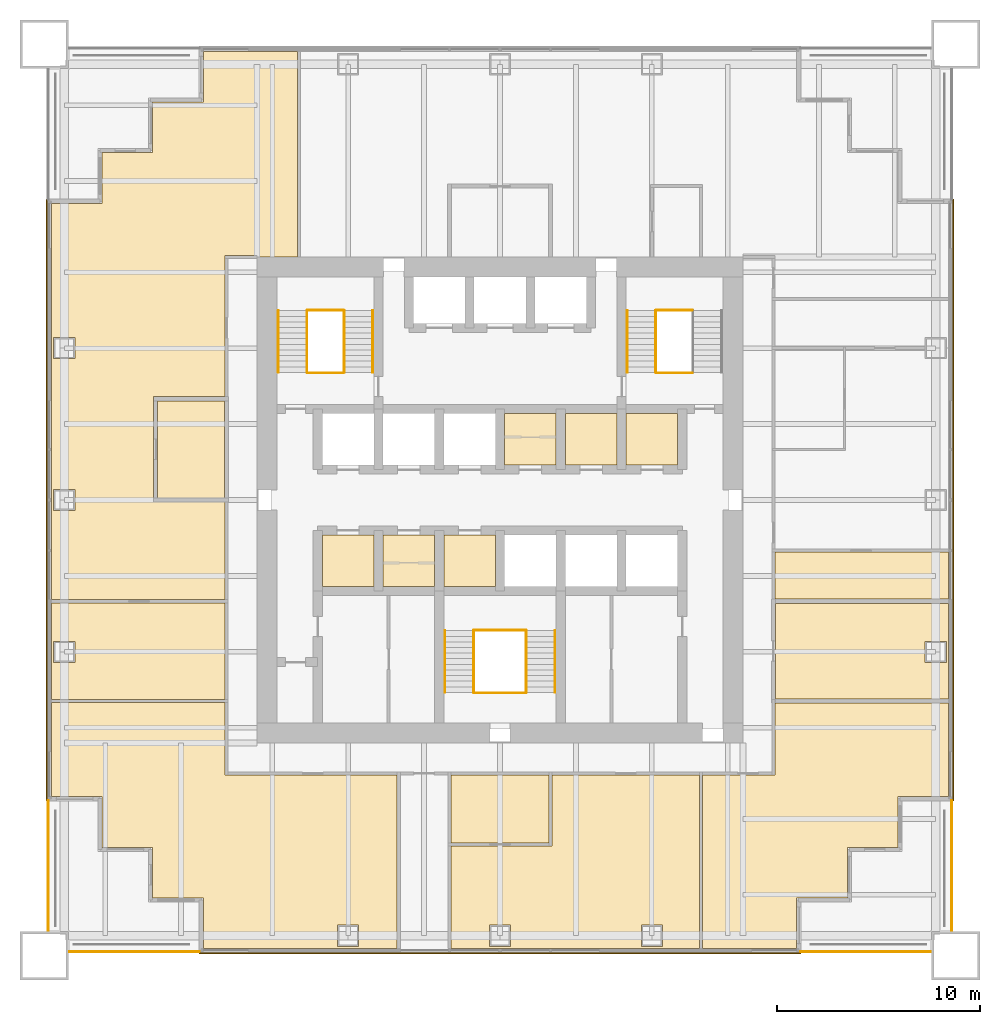
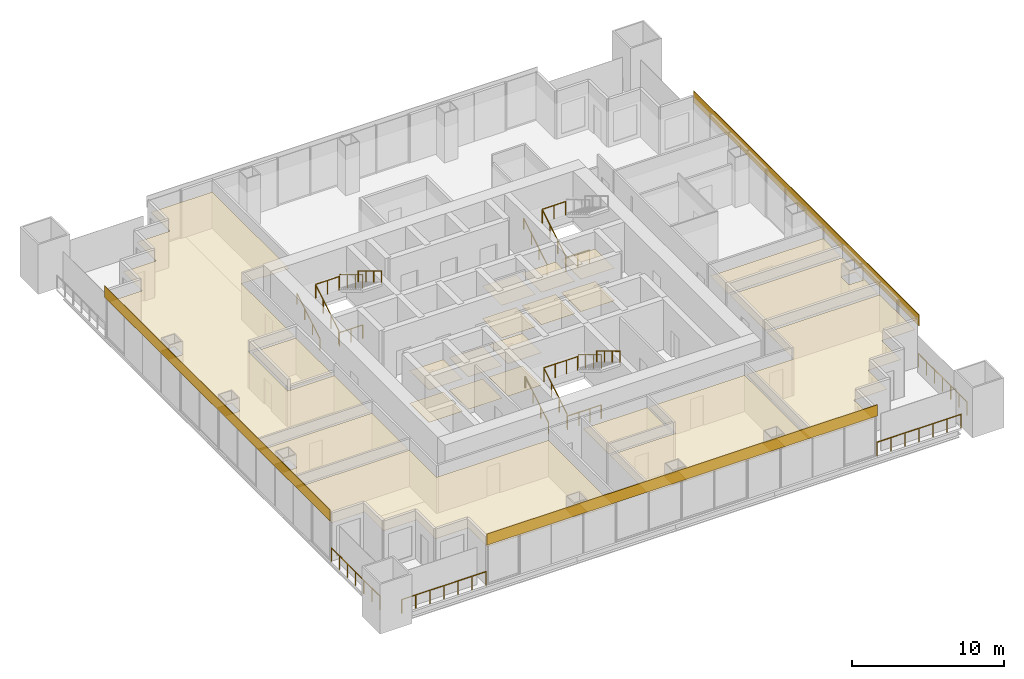
# One storey, part 12 of 13: 24 coverings, 20 railings.
"""IFC4 building model written with IfcOpenShell, lengths in metres."""

import ifcopenshell
import ifcopenshell.guid

model = None  # the IFC model being written
_history = None  # IfcOwnerHistory: only IFC2X3 demands one
_inside = {}  # id of a spatial element -> (the spatial element, [elements in it])
_under = {}  # id of a project, library or spatial element -> (it, [spatial elements below it])
_declared = {}  # id of a project -> (the project, [libraries it declares])
_typed = {}  # id of a type object -> (the type object, [elements of that type])
_made_of = {}  # id of a material, layer set ... -> (it, [elements and type objects made of it])


def new_model(schema):
    """Start an empty IFC model of exactly this schema.

    Asked for "IFC4X3", IfcOpenShell would pick the latest addendum, in which some entities
    have other attributes; the version numbers below select the first issue.
    IFC2X3 requires an IfcOwnerHistory on every rooted entity: one is made here for all.
    """
    global model, _history
    if schema == "IFC4X3":
        model = ifcopenshell.file(schema_version=(4, 3, 0, 0))
    else:
        model = ifcopenshell.file(schema=schema)
    _inside.clear()
    _under.clear()
    _declared.clear()
    _typed.clear()
    _made_of.clear()
    _history = None
    if model.schema == "IFC2X3":
        org = make("IfcOrganization", Name="unknown")
        user = make(
            "IfcPersonAndOrganization",
            ThePerson=make("IfcPerson", FamilyName="unknown"),
            TheOrganization=org,
        )
        app = make(
            "IfcApplication",
            ApplicationDeveloper=org,
            Version="unknown",
            ApplicationFullName="unknown",
            ApplicationIdentifier="unknown",
        )
        _history = make(
            "IfcOwnerHistory",
            OwningUser=user,
            OwningApplication=app,
            ChangeAction="ADDED",
            CreationDate=0,
        )
    return model


def make(cls, **values):
    """One entity of the class cls with the attributes given. An attribute that is None is left unset."""
    return model.create_entity(
        cls, **{name: value for name, value in values.items() if value is not None}
    )


def rooted(cls, **values):
    """An entity with a GlobalId (a new one), such as an element, a storey or a relation."""
    return make(cls, GlobalId=ifcopenshell.guid.new(), OwnerHistory=_history, **values)


def si_unit(unit_type, name, prefix=None):
    """IfcSIUnit, for example si_unit("LENGTHUNIT", "METRE", prefix="MILLI")."""
    return make("IfcSIUnit", UnitType=unit_type, Prefix=prefix, Name=name)


def assignment(units):
    """IfcUnitAssignment: the units of a project."""
    return None if units is None else make("IfcUnitAssignment", Units=units)


def point(xyz):
    """IfcCartesianPoint."""
    return None if xyz is None else make("IfcCartesianPoint", Coordinates=xyz)


def direction(xyz):
    """IfcDirection."""
    return None if xyz is None else make("IfcDirection", DirectionRatios=xyz)


def frame(location, z_axis=None, x_axis=None):
    """IfcAxis2Placement3D, a coordinate frame: its origin and axes. An axis left out is left unset."""
    return make(
        "IfcAxis2Placement3D",
        Location=point(location),
        Axis=direction(z_axis),
        RefDirection=direction(x_axis),
    )


def frame_2d(location, x_axis=None):
    """IfcAxis2Placement2D, a coordinate frame in the plane: its origin and x axis."""
    return make(
        "IfcAxis2Placement2D", Location=point(location), RefDirection=direction(x_axis)
    )


def origin():
    """The frame at (0, 0, 0) with its axes left unset."""
    return frame((0.0, 0.0, 0.0))


def origin_2d():
    """The frame at (0, 0) in the plane with its x axis left unset."""
    return frame_2d((0.0, 0.0))


def place(relative_to, where):
    """IfcLocalPlacement: puts the frame where relative to a parent placement (None: the world)."""
    return make(
        "IfcLocalPlacement", PlacementRelTo=relative_to, RelativePlacement=where
    )


def context(
    kind, dimensions, precision=None, world=None, true_north=None, identifier=None
):
    """IfcGeometricRepresentationContext, for example the 3D "Model" context."""
    return make(
        "IfcGeometricRepresentationContext",
        ContextIdentifier=identifier,
        ContextType=kind,
        CoordinateSpaceDimension=dimensions,
        Precision=precision,
        WorldCoordinateSystem=world,
        TrueNorth=true_north,
    )


def subcontext(parent, identifier, kind, view, scale=None):
    """IfcGeometricRepresentationSubContext, for example "Body" below "Model"."""
    return make(
        "IfcGeometricRepresentationSubContext",
        ContextIdentifier=identifier,
        ContextType=kind,
        ParentContext=parent,
        TargetScale=scale,
        TargetView=view,
    )


def project(units=None, contexts=None):
    """IfcProject with its units and contexts."""
    return rooted(
        "IfcProject",
        Name="project",
        RepresentationContexts=contexts,
        UnitsInContext=assignment(units),
    )


def spatial(cls, under=None, at=None, **own):
    """A site, building, storey or space (cls), placed at a placement, below another one or the project."""
    s = rooted(cls, ObjectPlacement=at, **own)
    if under is not None:
        _under.setdefault(under.id(), (under, []))[1].append(s)
    return s


def polyline(points):
    """IfcPolyline through the points."""
    return make("IfcPolyline", Points=[point(p) for p in points])


def profile(cls, at=None, kind="AREA", **sizes):
    """A parametric profile (cls). Its sizes go by their IFC names, for example OverallWidth=200.0."""
    return make(cls, ProfileType=kind, Position=at, **sizes)


def rectangle(**sizes):
    """IfcRectangleProfileDef."""
    return profile("IfcRectangleProfileDef", **sizes)


def circle(**sizes):
    """IfcCircleProfileDef."""
    return profile("IfcCircleProfileDef", **sizes)


def outline(outer, holes=None, kind="AREA"):
    """IfcArbitraryClosedProfileDef: a profile drawn as a closed curve; with holes, ...WithVoids."""
    if holes is None:
        return make("IfcArbitraryClosedProfileDef", ProfileType=kind, OuterCurve=outer)
    return make(
        "IfcArbitraryProfileDefWithVoids",
        ProfileType=kind,
        OuterCurve=outer,
        InnerCurves=holes,
    )


def extrude(swept, where, along, depth):
    """IfcExtrudedAreaSolid: the profile swept, set in the frame where, extruded along a direction by depth."""
    return make(
        "IfcExtrudedAreaSolid",
        SweptArea=swept,
        Position=where,
        ExtrudedDirection=direction(along),
        Depth=depth,
    )


def shape(context_of_items, identifier, shape_type, items):
    """IfcShapeRepresentation: the items that make up one representation, for example the "Body"."""
    return make(
        "IfcShapeRepresentation",
        ContextOfItems=context_of_items,
        RepresentationIdentifier=identifier,
        RepresentationType=shape_type,
        Items=items,
    )


def material(Name=None, Category=None):
    """IfcMaterial."""
    return make("IfcMaterial", Name=Name, Category=Category)


def layer(
    of_material, thickness, ventilated=None, Name=None, Category=None, Priority=None
):
    """IfcMaterialLayer: one layer of a wall or slab, of a material (None: an air gap)."""
    return make(
        "IfcMaterialLayer",
        Material=of_material,
        LayerThickness=thickness,
        IsVentilated=ventilated,
        Name=Name,
        Category=Category,
        Priority=Priority,
    )


def layer_set(layers, Name=None):
    """IfcMaterialLayerSet."""
    return make("IfcMaterialLayerSet", MaterialLayers=layers, LayerSetName=Name)


def made_of(thing, what):
    """Note that an element or type object is made of a material, layer set ...; save() writes the relation."""
    if what is not None:
        _made_of.setdefault(what.id(), (what, []))[1].append(thing)
    return thing


def type_object(cls, material=None, **own):
    """A type object (cls), such as IfcWallType, which elements share."""
    return made_of(rooted(cls, **own), material)


def element(
    cls,
    number,
    at=None,
    inside=None,
    cuts=None,
    type_object=None,
    material=None,
    context=None,
    identifier="Body",
    shape_type=None,
    held_by="IfcProductDefinitionShape",
    body=None,
    shapes=None,
    **own,
):
    """One element of the class cls, such as IfcWall. Its Tag is "e" and its number.

    at: its placement. inside: the storey or other place that contains it. cuts: it is an
    opening in that element (IfcRelVoidsElement). A single representation is given by context,
    identifier, shape_type and body (its items); several are given by shapes. held_by: the class
    of the entity that holds the representations. save() writes the other relations.
    """
    e = rooted(cls, Tag="e%d" % number, ObjectPlacement=at, **own)
    if body is not None:
        shapes = [shape(context, identifier, shape_type, body)]
    if shapes is not None:
        e.Representation = make(held_by, Representations=shapes)
    if inside is not None:
        _inside.setdefault(inside.id(), (inside, []))[1].append(e)
    if cuts is not None:
        rooted(
            "IfcRelVoidsElement", RelatingBuildingElement=cuts, RelatedOpeningElement=e
        )
    if type_object is not None:
        _typed.setdefault(type_object.id(), (type_object, []))[1].append(e)
    return made_of(e, material)


def aggregate(whole, parts):
    """IfcRelAggregates: a whole, such as a stair, and the parts it consists of."""
    return rooted("IfcRelAggregates", RelatingObject=whole, RelatedObjects=parts)


def save(model, path):
    """Write the relations noted so far, then the file.

    IfcRelAggregates (storeys below a building ...), IfcRelContainedInSpatialStructure (elements
    in a storey), IfcRelDefinesByType, IfcRelAssociatesMaterial and IfcRelDeclares: one each for
    every whole, place, type object, material and project.
    """
    for whole, parts in _under.values():
        aggregate(whole, parts)
    for where, things in _inside.values():
        rooted(
            "IfcRelContainedInSpatialStructure",
            RelatedElements=things,
            RelatingStructure=where,
        )
    for kind, things in _typed.values():
        rooted("IfcRelDefinesByType", RelatedObjects=things, RelatingType=kind)
    for what, things in _made_of.values():
        rooted("IfcRelAssociatesMaterial", RelatedObjects=things, RelatingMaterial=what)
    for by, libraries in _declared.values():
        rooted("IfcRelDeclares", RelatingContext=by, RelatedDefinitions=libraries)
    model.write(path)


model = new_model("IFC4")

# Units and contexts
model_context = context("Model", 3, precision=1e-05, world=origin(), true_north=direction((0.0, 1.0)))
body_context = subcontext(model_context, "Body", "Model", "MODEL_VIEW")
ifc_project = project(units=[si_unit("LENGTHUNIT", "METRE"), si_unit("AREAUNIT", "SQUARE_METRE"), si_unit("VOLUMEUNIT", "CUBIC_METRE"), si_unit("PLANEANGLEUNIT", "RADIAN"), si_unit("MASSUNIT", "GRAM", prefix="KILO")], contexts=[model_context])

# Site, building, storey
site_placement = place(None, origin())
site = spatial("IfcSite", under=ifc_project, at=site_placement, CompositionType="ELEMENT")
building_placement = place(site_placement, origin())
building = spatial("IfcBuilding", under=site, at=building_placement, Name="Tarangal Relay Tower", CompositionType="ELEMENT")
storey_placement = place(building_placement, frame((0.0, 0.0, 201.89990234375)))
storey = spatial("IfcBuildingStorey", under=building, at=storey_placement, Name="L42", CompositionType="ELEMENT", Elevation=201.89990234375)

# Coverings
ifc_material_1 = material(Name="Anti-static vinyl flooring", Category="plastic")
ifc_layer_1 = layer(ifc_material_1, 0.010009765625)
ifc_layer_set_1 = layer_set([ifc_layer_1], Name="Anti-static vinyl floor")
covering_type_1 = type_object("IfcCoveringType", Name="Anti-static vinyl floor", PredefinedType="FLOORING", material=ifc_layer_set_1)
covering_1_placement = place(storey_placement, origin())
element("IfcCovering", 1, at=covering_1_placement, inside=storey, type_object=covering_type_1, Name="Floor finish FL1 L42-T1", PredefinedType="FLOORING", context=body_context, shape_type="SweptSolid", body=[
    extrude(outline(polyline([(0.22509765625, 1.72509765625), (2.77490234375, 1.72509765625), (2.77490234375, 4.27490234375), (0.22509765625, 4.27490234375), (0.22509765625, 1.72509765625)])), origin(), (0.0, 0.0, 1.0), 0.010009765625),
])
covering_2_placement = place(storey_placement, origin())
element("IfcCovering", 2, at=covering_2_placement, inside=storey, type_object=covering_type_1, Name="Floor finish FL1 L42-T2", PredefinedType="FLOORING", context=body_context, shape_type="SweptSolid", body=[
    extrude(outline(polyline([(3.22509765625, 1.72509765625), (5.77490234375, 1.72509765625), (5.77490234375, 4.27490234375), (3.22509765625, 4.27490234375), (3.22509765625, 1.72509765625)])), origin(), (0.0, 0.0, 1.0), 0.010009765625),
])
covering_3_placement = place(storey_placement, origin())
element("IfcCovering", 3, at=covering_3_placement, inside=storey, type_object=covering_type_1, Name="Floor finish FL1 L42-T3", PredefinedType="FLOORING", context=body_context, shape_type="SweptSolid", body=[
    extrude(outline(polyline([(6.22509765625, 1.72509765625), (8.77490234375, 1.72509765625), (8.77490234375, 4.27490234375), (6.22509765625, 4.27490234375), (6.22509765625, 1.72509765625)])), origin(), (0.0, 0.0, 1.0), 0.010009765625),
])
covering_4_placement = place(storey_placement, origin())
element("IfcCovering", 4, at=covering_4_placement, inside=storey, type_object=covering_type_1, Name="Floor finish FL1 L42-S1", PredefinedType="FLOORING", context=body_context, shape_type="SweptSolid", body=[
    extrude(outline(polyline([(-8.77490234375, -4.27490234375), (-6.22509765625, -4.27490234375), (-6.22509765625, -1.72509765625), (-8.77490234375, -1.72509765625), (-8.77490234375, -4.27490234375)])), origin(), (0.0, 0.0, 1.0), 0.010009765625),
])
covering_5_placement = place(storey_placement, origin())
element("IfcCovering", 5, at=covering_5_placement, inside=storey, type_object=covering_type_1, Name="Floor finish FL1 L42-S2", PredefinedType="FLOORING", context=body_context, shape_type="SweptSolid", body=[
    extrude(outline(polyline([(-5.77490234375, -4.27490234375), (-3.22509765625, -4.27490234375), (-3.22509765625, -1.72509765625), (-5.77490234375, -1.72509765625), (-5.77490234375, -4.27490234375)])), origin(), (0.0, 0.0, 1.0), 0.010009765625),
])
covering_6_placement = place(storey_placement, origin())
element("IfcCovering", 6, at=covering_6_placement, inside=storey, type_object=covering_type_1, Name="Floor finish FL1 L42-S3", PredefinedType="FLOORING", context=body_context, shape_type="SweptSolid", body=[
    extrude(outline(polyline([(-2.77490234375, -4.27490234375), (-0.22509765625, -4.27490234375), (-0.22509765625, -1.72509765625), (-2.77490234375, -1.72509765625), (-2.77490234375, -4.27490234375)])), origin(), (0.0, 0.0, 1.0), 0.010009765625),
])
ifc_material_2 = material(Name="Black anodised aluminium cladding", Category="aluminium")
ifc_layer_2 = layer(ifc_material_2, 0.050048828125)
ifc_layer_set_2 = layer_set([ifc_layer_2], Name="Black metal spandrel band")
covering_type_2 = type_object("IfcCoveringType", Name="Black metal spandrel band", PredefinedType="CLADDING", material=ifc_layer_set_2)
for number, where, z_axis, x_axis, name in (
    (7, (22.375, 0.0, 3.250244140625), (0.0, 0.0, 1.0), (0.0, -1.0, 0.0), "Spandrel band SB1 E L42"),
    (8, (0.0, -22.375, 3.250244140625), (0.0, 0.0, 1.0), (-1.0, 0.0, 0.0), "Spandrel band SB1 S L42"),
    (9, (-22.375, 0.0, 3.250244140625), (0.0, 0.0, 1.0), (0.0, 1.0, 0.0), "Spandrel band SB1 W L42"),
):
    element("IfcCovering", number, at=place(storey_placement, frame(where, z_axis=z_axis, x_axis=x_axis)), inside=storey, type_object=covering_type_2, Name=name, PredefinedType="CLADDING", context=body_context, shape_type="SweptSolid", body=[
        extrude(rectangle(XDim=29.699951171875, YDim=0.050048828125, at=origin_2d()), origin(), (0.0, 0.0, 1.0), 0.89990234375),
    ])

# Railings
ifc_material_3 = material(Name="Steel guard, black finish", Category="steel")
railing_type_1 = type_object("IfcRailingType", Name="Stair guard 1100", PredefinedType="GUARDRAIL", material=ifc_material_3)
railing_1_placement = place(storey_placement, frame((-9.530029296875, 6.300048828125, 0.166748046875)))
element("IfcRailing", 10, at=railing_1_placement, inside=storey, type_object=railing_type_1, Name="Stair ST-A guard GR1 L42 flight 1", PredefinedType="GUARDRAIL", context=body_context, shape_type="SweptSolid", body=[
    extrude(circle(Radius=0.02392578125, at=origin_2d()), frame((0.0, 0.0, 1.076171875), z_axis=(0.0, 0.85685617095, 0.515555527858), x_axis=(-1.0, 0.0, 0.0)), (0.0, 0.0, 1.0), 3.555908203125),
    extrude(circle(Radius=0.02099609375, at=origin_2d()), origin(), (0.0, 0.0, 1.0), 1.052001953125),
    extrude(circle(Radius=0.02099609375, at=origin_2d()), frame((0.0, 1.015625, 0.611083984375)), (0.0, 0.0, 1.0), 1.052001953125),
    extrude(circle(Radius=0.02099609375, at=origin_2d()), frame((0.0, 2.03125, 1.22216796875)), (0.0, 0.0, 1.0), 1.052001953125),
    extrude(circle(Radius=0.02099609375, at=origin_2d()), frame((0.0, 3.046875, 1.833251953125)), (0.0, 0.0, 1.0), 1.052001953125),
])
railing_2_placement = place(storey_placement, frame((-7.695068359375, 9.346923828125, 2.166748046875)))
element("IfcRailing", 11, at=railing_2_placement, inside=storey, type_object=railing_type_1, Name="Stair ST-A guard GR1 L42 flight 2", PredefinedType="GUARDRAIL", context=body_context, shape_type="SweptSolid", body=[
    extrude(circle(Radius=0.02392578125, at=origin_2d()), frame((0.0, 0.0, 1.076171875), z_axis=(0.0, -0.85685617095, 0.515555527858), x_axis=(1.0, 0.0, 0.0)), (0.0, 0.0, 1.0), 3.555908203125),
    extrude(circle(Radius=0.02099609375, at=origin_2d()), origin(), (0.0, 0.0, 1.0), 1.052001953125),
    extrude(circle(Radius=0.02099609375, at=origin_2d()), frame((0.0, -1.015625, 0.611083984375)), (0.0, 0.0, 1.0), 1.052001953125),
    extrude(circle(Radius=0.02099609375, at=origin_2d()), frame((0.0, -2.03125, 1.22216796875)), (0.0, 0.0, 1.0), 1.052001953125),
    extrude(circle(Radius=0.02099609375, at=origin_2d()), frame((0.0, -3.046875, 1.833251953125)), (0.0, 0.0, 1.0), 1.052001953125),
])
for number, where, name in (
    (12, (-9.5, 6.27001953125, 0.0), "Stair ST-A landing guard GR1 L42"),
    (13, (-9.5, 9.376953125, 2.0), "Stair ST-A landing guard GR1 L42"),
):
    element("IfcRailing", number, at=place(storey_placement, frame(where)), inside=storey, type_object=railing_type_1, Name=name, PredefinedType="GUARDRAIL", context=body_context, shape_type="SweptSolid", body=[
        extrude(circle(Radius=0.02392578125, at=origin_2d()), frame((0.0, 0.0, 1.076171875), z_axis=(1.0, 0.0, 0.0), x_axis=(0.0, 1.0, 0.0)), (0.0, 0.0, 1.0), 1.77490234375),
        extrude(circle(Radius=0.02099609375, at=origin_2d()), origin(), (0.0, 0.0, 1.0), 1.052001953125),
        extrude(circle(Radius=0.02099609375, at=origin_2d()), frame((0.887451171875, 0.0, 0.0)), (0.0, 0.0, 1.0), 1.052001953125),
        extrude(circle(Radius=0.02099609375, at=origin_2d()), frame((1.77490234375, 0.0, 0.0)), (0.0, 0.0, 1.0), 1.052001953125),
    ])
railing_3_placement = place(storey_placement, frame((7.695068359375, 6.300048828125, 0.166748046875)))
element("IfcRailing", 14, at=railing_3_placement, inside=storey, type_object=railing_type_1, Name="Stair ST-B guard GR1 L42 flight 1", PredefinedType="GUARDRAIL", context=body_context, shape_type="SweptSolid", body=[
    extrude(circle(Radius=0.02392578125, at=origin_2d()), frame((0.0, 0.0, 1.076171875), z_axis=(0.0, 0.85685617095, 0.515555527858), x_axis=(-1.0, 0.0, 0.0)), (0.0, 0.0, 1.0), 3.555908203125),
    extrude(circle(Radius=0.02099609375, at=origin_2d()), origin(), (0.0, 0.0, 1.0), 1.052001953125),
    extrude(circle(Radius=0.02099609375, at=origin_2d()), frame((0.0, 1.015625, 0.611083984375)), (0.0, 0.0, 1.0), 1.052001953125),
    extrude(circle(Radius=0.02099609375, at=origin_2d()), frame((0.0, 2.03125, 1.22216796875)), (0.0, 0.0, 1.0), 1.052001953125),
    extrude(circle(Radius=0.02099609375, at=origin_2d()), frame((0.0, 3.046875, 1.833251953125)), (0.0, 0.0, 1.0), 1.052001953125),
])
for number, where, name in (
    (15, (7.72509765625, 6.27001953125, 0.0), "Stair ST-B landing guard GR1 L42"),
    (16, (7.72509765625, 9.376953125, 2.0), "Stair ST-B landing guard GR1 L42"),
):
    element("IfcRailing", number, at=place(storey_placement, frame(where)), inside=storey, type_object=railing_type_1, Name=name, PredefinedType="GUARDRAIL", context=body_context, shape_type="SweptSolid", body=[
        extrude(circle(Radius=0.02392578125, at=origin_2d()), frame((0.0, 0.0, 1.076171875), z_axis=(1.0, 0.0, 0.0), x_axis=(0.0, 1.0, 0.0)), (0.0, 0.0, 1.0), 1.77490234375),
        extrude(circle(Radius=0.02099609375, at=origin_2d()), origin(), (0.0, 0.0, 1.0), 1.052001953125),
        extrude(circle(Radius=0.02099609375, at=origin_2d()), frame((0.887451171875, 0.0, 0.0)), (0.0, 0.0, 1.0), 1.052001953125),
        extrude(circle(Radius=0.02099609375, at=origin_2d()), frame((1.77490234375, 0.0, 0.0)), (0.0, 0.0, 1.0), 1.052001953125),
    ])
railing_4_placement = place(storey_placement, frame((-1.304931640625, -9.5, 0.166748046875)))
element("IfcRailing", 17, at=railing_4_placement, inside=storey, type_object=railing_type_1, Name="Stair ST-C guard GR1 L42 flight 1", PredefinedType="GUARDRAIL", context=body_context, shape_type="SweptSolid", body=[
    extrude(circle(Radius=0.02392578125, at=origin_2d()), frame((0.0, 0.0, 1.076171875), z_axis=(0.0, 0.856874418557, 0.515525199018), x_axis=(-1.0, 0.0, 0.0)), (0.0, 0.0, 1.0), 3.55615234375),
    extrude(circle(Radius=0.02099609375, at=origin_2d()), origin(), (0.0, 0.0, 1.0), 1.052001953125),
    extrude(circle(Radius=0.02099609375, at=origin_2d()), frame((0.0, 1.015625, 0.611083984375)), (0.0, 0.0, 1.0), 1.052001953125),
    extrude(circle(Radius=0.02099609375, at=origin_2d()), frame((0.0, 2.031494140625, 1.22216796875)), (0.0, 0.0, 1.0), 1.052001953125),
    extrude(circle(Radius=0.02099609375, at=origin_2d()), frame((0.0, 3.047119140625, 1.833251953125)), (0.0, 0.0, 1.0), 1.052001953125),
])
railing_5_placement = place(storey_placement, frame((1.304931640625, -6.452880859375, 2.166748046875)))
element("IfcRailing", 18, at=railing_5_placement, inside=storey, type_object=railing_type_1, Name="Stair ST-C guard GR1 L42 flight 2", PredefinedType="GUARDRAIL", context=body_context, shape_type="SweptSolid", body=[
    extrude(circle(Radius=0.02392578125, at=origin_2d()), frame((0.0, 0.0, 1.076171875), z_axis=(0.0, -0.856874418557, 0.515525199018), x_axis=(1.0, 0.0, 0.0)), (0.0, 0.0, 1.0), 3.55615234375),
    extrude(circle(Radius=0.02099609375, at=origin_2d()), origin(), (0.0, 0.0, 1.0), 1.052001953125),
    extrude(circle(Radius=0.02099609375, at=origin_2d()), frame((0.0, -1.015625, 0.611083984375)), (0.0, 0.0, 1.0), 1.052001953125),
    extrude(circle(Radius=0.02099609375, at=origin_2d()), frame((0.0, -2.031494140625, 1.22216796875)), (0.0, 0.0, 1.0), 1.052001953125),
    extrude(circle(Radius=0.02099609375, at=origin_2d()), frame((0.0, -3.047119140625, 1.833251953125)), (0.0, 0.0, 1.0), 1.052001953125),
])
for number, where, name in (
    (19, (-1.27490234375, -9.530029296875, 0.0), "Stair ST-C landing guard GR1 L42"),
    (20, (-1.27490234375, -6.423095703125, 2.0), "Stair ST-C landing guard GR1 L42"),
):
    element("IfcRailing", number, at=place(storey_placement, frame(where)), inside=storey, type_object=railing_type_1, Name=name, PredefinedType="GUARDRAIL", context=body_context, shape_type="SweptSolid", body=[
        extrude(circle(Radius=0.02392578125, at=origin_2d()), frame((0.0, 0.0, 1.076171875), z_axis=(1.0, 0.0, 0.0), x_axis=(0.0, 1.0, 0.0)), (0.0, 0.0, 1.0), 2.5498046875),
        extrude(circle(Radius=0.02099609375, at=origin_2d()), origin(), (0.0, 0.0, 1.0), 1.052001953125),
        extrude(circle(Radius=0.02099609375, at=origin_2d()), frame((0.849853515625, 0.0, 0.0)), (0.0, 0.0, 1.0), 1.052001953125),
        extrude(circle(Radius=0.02099609375, at=origin_2d()), frame((1.699951171875, 0.0, 0.0)), (0.0, 0.0, 1.0), 1.052001953125),
        extrude(circle(Radius=0.02099609375, at=origin_2d()), frame((2.5498046875, 0.0, 0.0)), (0.0, 0.0, 1.0), 1.052001953125),
    ])
ifc_material_4 = material(Name="Steel handrail, black finish", Category="steel")
railing_type_2 = type_object("IfcRailingType", Name="Stair handrail 900", PredefinedType="HANDRAIL", material=ifc_material_4)
railing_6_placement = place(storey_placement, frame((-10.93994140625, 6.300048828125, 0.166748046875)))
element("IfcRailing", 21, at=railing_6_placement, inside=storey, type_object=railing_type_2, Name="Stair ST-A handrail HR1 L42 flight 1", PredefinedType="HANDRAIL", context=body_context, shape_type="SweptSolid", body=[
    extrude(circle(Radius=0.02392578125, at=origin_2d()), frame((0.0, 0.0, 0.8759765625), z_axis=(0.0, 0.85685617095, 0.515555527858), x_axis=(-1.0, 0.0, 0.0)), (0.0, 0.0, 1.0), 3.555908203125),
    extrude(circle(Radius=0.02099609375, at=origin_2d()), origin(), (0.0, 0.0, 1.0), 0.851806640625),
    extrude(circle(Radius=0.02099609375, at=origin_2d()), frame((0.0, 1.015625, 0.611083984375)), (0.0, 0.0, 1.0), 0.851806640625),
    extrude(circle(Radius=0.02099609375, at=origin_2d()), frame((0.0, 2.03125, 1.22216796875)), (0.0, 0.0, 1.0), 0.851806640625),
    extrude(circle(Radius=0.02099609375, at=origin_2d()), frame((0.0, 3.046875, 1.833251953125)), (0.0, 0.0, 1.0), 0.851806640625),
])
railing_7_placement = place(storey_placement, frame((-6.284912109375, 9.346923828125, 2.166748046875)))
element("IfcRailing", 22, at=railing_7_placement, inside=storey, type_object=railing_type_2, Name="Stair ST-A handrail HR1 L42 flight 2", PredefinedType="HANDRAIL", context=body_context, shape_type="SweptSolid", body=[
    extrude(circle(Radius=0.02392578125, at=origin_2d()), frame((0.0, 0.0, 0.8759765625), z_axis=(0.0, -0.85685617095, 0.515555527858), x_axis=(1.0, 0.0, 0.0)), (0.0, 0.0, 1.0), 3.555908203125),
    extrude(circle(Radius=0.02099609375, at=origin_2d()), origin(), (0.0, 0.0, 1.0), 0.851806640625),
    extrude(circle(Radius=0.02099609375, at=origin_2d()), frame((0.0, -1.015625, 0.611083984375)), (0.0, 0.0, 1.0), 0.851806640625),
    extrude(circle(Radius=0.02099609375, at=origin_2d()), frame((0.0, -2.03125, 1.22216796875)), (0.0, 0.0, 1.0), 0.851806640625),
    extrude(circle(Radius=0.02099609375, at=origin_2d()), frame((0.0, -3.046875, 1.833251953125)), (0.0, 0.0, 1.0), 0.851806640625),
])
railing_8_placement = place(storey_placement, frame((6.284912109375, 6.300048828125, 0.166748046875)))
element("IfcRailing", 23, at=railing_8_placement, inside=storey, type_object=railing_type_2, Name="Stair ST-B handrail HR1 L42 flight 1", PredefinedType="HANDRAIL", context=body_context, shape_type="SweptSolid", body=[
    extrude(circle(Radius=0.02392578125, at=origin_2d()), frame((0.0, 0.0, 0.8759765625), z_axis=(0.0, 0.85685617095, 0.515555527858), x_axis=(-1.0, 0.0, 0.0)), (0.0, 0.0, 1.0), 3.555908203125),
    extrude(circle(Radius=0.02099609375, at=origin_2d()), origin(), (0.0, 0.0, 1.0), 0.851806640625),
    extrude(circle(Radius=0.02099609375, at=origin_2d()), frame((0.0, 1.015625, 0.611083984375)), (0.0, 0.0, 1.0), 0.851806640625),
    extrude(circle(Radius=0.02099609375, at=origin_2d()), frame((0.0, 2.03125, 1.22216796875)), (0.0, 0.0, 1.0), 0.851806640625),
    extrude(circle(Radius=0.02099609375, at=origin_2d()), frame((0.0, 3.046875, 1.833251953125)), (0.0, 0.0, 1.0), 0.851806640625),
])
railing_9_placement = place(storey_placement, frame((-2.715087890625, -9.5, 0.166748046875)))
element("IfcRailing", 24, at=railing_9_placement, inside=storey, type_object=railing_type_2, Name="Stair ST-C handrail HR1 L42 flight 1", PredefinedType="HANDRAIL", context=body_context, shape_type="SweptSolid", body=[
    extrude(circle(Radius=0.02392578125, at=origin_2d()), frame((0.0, 0.0, 0.8759765625), z_axis=(0.0, 0.856874418557, 0.515525199018), x_axis=(-1.0, 0.0, 0.0)), (0.0, 0.0, 1.0), 3.55615234375),
    extrude(circle(Radius=0.02099609375, at=origin_2d()), origin(), (0.0, 0.0, 1.0), 0.851806640625),
    extrude(circle(Radius=0.02099609375, at=origin_2d()), frame((0.0, 1.015625, 0.611083984375)), (0.0, 0.0, 1.0), 0.851806640625),
    extrude(circle(Radius=0.02099609375, at=origin_2d()), frame((0.0, 2.031494140625, 1.22216796875)), (0.0, 0.0, 1.0), 0.851806640625),
    extrude(circle(Radius=0.02099609375, at=origin_2d()), frame((0.0, 3.047119140625, 1.833251953125)), (0.0, 0.0, 1.0), 0.851806640625),
])
railing_10_placement = place(storey_placement, frame((2.715087890625, -6.452880859375, 2.166748046875)))
element("IfcRailing", 25, at=railing_10_placement, inside=storey, type_object=railing_type_2, Name="Stair ST-C handrail HR1 L42 flight 2", PredefinedType="HANDRAIL", context=body_context, shape_type="SweptSolid", body=[
    extrude(circle(Radius=0.02392578125, at=origin_2d()), frame((0.0, 0.0, 0.8759765625), z_axis=(0.0, -0.856874418557, 0.515525199018), x_axis=(1.0, 0.0, 0.0)), (0.0, 0.0, 1.0), 3.55615234375),
    extrude(circle(Radius=0.02099609375, at=origin_2d()), origin(), (0.0, 0.0, 1.0), 0.851806640625),
    extrude(circle(Radius=0.02099609375, at=origin_2d()), frame((0.0, -1.015625, 0.611083984375)), (0.0, 0.0, 1.0), 0.851806640625),
    extrude(circle(Radius=0.02099609375, at=origin_2d()), frame((0.0, -2.031494140625, 1.22216796875)), (0.0, 0.0, 1.0), 0.851806640625),
    extrude(circle(Radius=0.02099609375, at=origin_2d()), frame((0.0, -3.047119140625, 1.833251953125)), (0.0, 0.0, 1.0), 0.851806640625),
])

# Coverings
ifc_material_5 = material(Name="Mineral fibre ceiling tiles", Category="gypsum")
ifc_layer_3 = layer(ifc_material_5, 0.02001953125)
ifc_layer_set_3 = layer_set([ifc_layer_3], Name="Suspended ceiling")
covering_type_3 = type_object("IfcCoveringType", Name="Suspended ceiling", PredefinedType="CEILING", material=ifc_layer_set_3)
covering_7_placement = place(storey_placement, frame((0.0, 0.0, 2.60009765625)))
element("IfcCovering", 26, at=covering_7_placement, inside=storey, type_object=covering_type_3, Name="Suspended ceiling CL1 L42-T1", PredefinedType="CEILING", context=body_context, shape_type="SweptSolid", body=[
    extrude(outline(polyline([(0.22509765625, 1.72509765625), (2.77490234375, 1.72509765625), (2.77490234375, 4.27490234375), (0.22509765625, 4.27490234375), (0.22509765625, 1.72509765625)])), origin(), (0.0, 0.0, 1.0), 0.02001953125),
])
covering_8_placement = place(storey_placement, frame((0.0, 0.0, 2.60009765625)))
element("IfcCovering", 27, at=covering_8_placement, inside=storey, type_object=covering_type_3, Name="Suspended ceiling CL1 L42-T2", PredefinedType="CEILING", context=body_context, shape_type="SweptSolid", body=[
    extrude(outline(polyline([(3.22509765625, 1.72509765625), (5.77490234375, 1.72509765625), (5.77490234375, 4.27490234375), (3.22509765625, 4.27490234375), (3.22509765625, 1.72509765625)])), origin(), (0.0, 0.0, 1.0), 0.02001953125),
])
covering_9_placement = place(storey_placement, frame((0.0, 0.0, 2.60009765625)))
element("IfcCovering", 28, at=covering_9_placement, inside=storey, type_object=covering_type_3, Name="Suspended ceiling CL1 L42-T3", PredefinedType="CEILING", context=body_context, shape_type="SweptSolid", body=[
    extrude(outline(polyline([(6.22509765625, 1.72509765625), (8.77490234375, 1.72509765625), (8.77490234375, 4.27490234375), (6.22509765625, 4.27490234375), (6.22509765625, 1.72509765625)])), origin(), (0.0, 0.0, 1.0), 0.02001953125),
])
covering_10_placement = place(storey_placement, frame((0.0, 0.0, 2.60009765625)))
element("IfcCovering", 29, at=covering_10_placement, inside=storey, type_object=covering_type_3, Name="Suspended ceiling CL1 L42-S1", PredefinedType="CEILING", context=body_context, shape_type="SweptSolid", body=[
    extrude(outline(polyline([(-8.77490234375, -4.27490234375), (-6.22509765625, -4.27490234375), (-6.22509765625, -1.72509765625), (-8.77490234375, -1.72509765625), (-8.77490234375, -4.27490234375)])), origin(), (0.0, 0.0, 1.0), 0.02001953125),
])
covering_11_placement = place(storey_placement, frame((0.0, 0.0, 2.60009765625)))
element("IfcCovering", 30, at=covering_11_placement, inside=storey, type_object=covering_type_3, Name="Suspended ceiling CL1 L42-S2", PredefinedType="CEILING", context=body_context, shape_type="SweptSolid", body=[
    extrude(outline(polyline([(-5.77490234375, -4.27490234375), (-3.22509765625, -4.27490234375), (-3.22509765625, -1.72509765625), (-5.77490234375, -1.72509765625), (-5.77490234375, -4.27490234375)])), origin(), (0.0, 0.0, 1.0), 0.02001953125),
])
covering_12_placement = place(storey_placement, frame((0.0, 0.0, 2.60009765625)))
element("IfcCovering", 31, at=covering_12_placement, inside=storey, type_object=covering_type_3, Name="Suspended ceiling CL1 L42-S3", PredefinedType="CEILING", context=body_context, shape_type="SweptSolid", body=[
    extrude(outline(polyline([(-2.77490234375, -4.27490234375), (-0.22509765625, -4.27490234375), (-0.22509765625, -1.72509765625), (-2.77490234375, -1.72509765625), (-2.77490234375, -4.27490234375)])), origin(), (0.0, 0.0, 1.0), 0.02001953125),
])
covering_13_placement = place(storey_placement, frame((0.0, 0.0, 2.900146484375)))
element("IfcCovering", 32, at=covering_13_placement, inside=storey, type_object=covering_type_3, Name="Suspended ceiling CL1 L42-07", PredefinedType="CEILING", context=body_context, shape_type="SweptSolid", body=[
    extrude(outline(polyline([(22.14990234375, -2.574951171875), (13.574951171875, -2.574951171875), (13.574951171875, -4.89990234375), (22.14990234375, -4.89990234375), (22.14990234375, -2.574951171875)])), origin(), (0.0, 0.0, 1.0), 0.02001953125),
])
covering_14_placement = place(storey_placement, frame((0.0, 0.0, 2.900146484375)))
element("IfcCovering", 33, at=covering_14_placement, inside=storey, type_object=covering_type_3, Name="Suspended ceiling CL1 L42-08", PredefinedType="CEILING", context=body_context, shape_type="SweptSolid", body=[
    extrude(outline(polyline([(22.14990234375, -9.81689453125), (22.14990234375, -5.10009765625), (13.60009765625, -5.10009765625), (13.60009765625, -9.81689453125), (22.14990234375, -9.81689453125)]), holes=[polyline([(22.0400390625, -6.97509765625), (20.989990234375, -6.97509765625), (20.989990234375, -8.02490234375), (22.0400390625, -8.02490234375), (22.0400390625, -6.97509765625)])]), origin(), (0.0, 0.0, 1.0), 0.02001953125),
])
covering_15_placement = place(storey_placement, frame((0.0, 0.0, 2.900146484375)))
element("IfcCovering", 34, at=covering_15_placement, inside=storey, type_object=covering_type_3, Name="Suspended ceiling CL1 L42-09", PredefinedType="CEILING", context=body_context, shape_type="SweptSolid", body=[
    extrude(outline(polyline([(-2.425048828125, -22.14990234375), (9.842041015625, -22.14990234375), (9.842041015625, -13.574951171875), (2.574951171875, -13.574951171875), (2.574951171875, -17.074951171875), (-2.425048828125, -17.074951171875), (-2.425048828125, -22.14990234375)]), holes=[polyline([(0.52490234375, -22.0400390625), (0.52490234375, -20.989990234375), (-0.52490234375, -20.989990234375), (-0.52490234375, -22.0400390625), (0.52490234375, -22.0400390625)]), polyline([(8.02490234375, -22.0400390625), (8.02490234375, -20.989990234375), (6.97509765625, -20.989990234375), (6.97509765625, -22.0400390625), (8.02490234375, -22.0400390625)])]), origin(), (0.0, 0.0, 1.0), 0.02001953125),
])
covering_16_placement = place(storey_placement, frame((0.0, 0.0, 2.900146484375)))
element("IfcCovering", 35, at=covering_16_placement, inside=storey, type_object=covering_type_3, Name="Suspended ceiling CL1 L42-10", PredefinedType="CEILING", context=body_context, shape_type="SweptSolid", body=[
    extrude(outline(polyline([(-2.425048828125, -13.574951171875), (-2.425048828125, -16.925048828125), (2.425048828125, -16.925048828125), (2.425048828125, -13.574951171875), (-2.425048828125, -13.574951171875)])), origin(), (0.0, 0.0, 1.0), 0.02001953125),
])
covering_17_placement = place(storey_placement, frame((0.0, 0.0, 2.900146484375)))
element("IfcCovering", 36, at=covering_17_placement, inside=storey, type_object=covering_type_3, Name="Suspended ceiling CL1 L42-12", PredefinedType="CEILING", context=body_context, shape_type="SweptSolid", body=[
    extrude(outline(polyline([(-22.14990234375, -5.074951171875), (-22.14990234375, -9.842041015625), (-13.574951171875, -9.842041015625), (-13.574951171875, -5.074951171875), (-22.14990234375, -5.074951171875)]), holes=[polyline([(-20.989990234375, -6.97509765625), (-22.0400390625, -6.97509765625), (-22.0400390625, -8.02490234375), (-20.989990234375, -8.02490234375), (-20.989990234375, -6.97509765625)])]), origin(), (0.0, 0.0, 1.0), 0.02001953125),
])
covering_18_placement = place(storey_placement, frame((0.0, 0.0, 2.900146484375)))
element("IfcCovering", 37, at=covering_18_placement, inside=storey, type_object=covering_type_3, Name="Suspended ceiling CL1 L42-13", PredefinedType="CEILING", context=body_context, shape_type="SweptSolid", body=[
    extrude(outline(polyline([(-13.60009765625, 4.89990234375), (-16.89990234375, 4.89990234375), (-16.89990234375, 0.10009765625), (-13.60009765625, 0.10009765625), (-13.60009765625, 4.89990234375)])), origin(), (0.0, 0.0, 1.0), 0.02001953125),
])
covering_19_placement = place(storey_placement, frame((0.0, 0.0, 2.900146484375)))
element("IfcCovering", 38, at=covering_19_placement, inside=storey, type_object=covering_type_3, Name="Suspended ceiling CL1 L42-15", PredefinedType="CEILING", context=body_context, shape_type="SweptSolid", body=[
    extrude(outline(polyline([(-17.14990234375, -19.64990234375), (-14.64990234375, -19.64990234375), (-14.64990234375, -22.14990234375), (-5.074951171875, -22.14990234375), (-5.074951171875, -13.574951171875), (-13.574951171875, -13.574951171875), (-13.574951171875, -9.991943359375), (-22.14990234375, -9.991943359375), (-22.14990234375, -14.64990234375), (-19.64990234375, -14.64990234375), (-19.64990234375, -17.14990234375), (-17.14990234375, -17.14990234375), (-17.14990234375, -19.64990234375)]), holes=[polyline([(-6.97509765625, -20.989990234375), (-8.02490234375, -20.989990234375), (-8.02490234375, -22.0400390625), (-6.97509765625, -22.0400390625), (-6.97509765625, -20.989990234375)])]), origin(), (0.0, 0.0, 1.0), 0.02001953125),
])
covering_20_placement = place(storey_placement, frame((0.0, 0.0, 2.900146484375)))
element("IfcCovering", 39, at=covering_20_placement, inside=storey, type_object=covering_type_3, Name="Suspended ceiling CL1 L42-16", PredefinedType="CEILING", context=body_context, shape_type="SweptSolid", body=[
    extrude(outline(polyline([(-19.64990234375, 17.14990234375), (-19.64990234375, 14.64990234375), (-22.14990234375, 14.64990234375), (-22.14990234375, -4.925048828125), (-13.574951171875, -4.925048828125), (-13.574951171875, -0.10009765625), (-17.10009765625, -0.10009765625), (-17.10009765625, 5.10009765625), (-13.574951171875, 5.10009765625), (-13.574951171875, 12.074951171875), (-12.0, 12.074951171875), (-12.0, 12.0), (-9.991943359375, 12.0), (-9.991943359375, 22.14990234375), (-14.64990234375, 22.14990234375), (-14.64990234375, 19.64990234375), (-17.14990234375, 19.64990234375), (-17.14990234375, 17.14990234375), (-19.64990234375, 17.14990234375)]), holes=[polyline([(-20.989990234375, -0.52490234375), (-20.989990234375, 0.52490234375), (-22.0400390625, 0.52490234375), (-22.0400390625, -0.52490234375), (-20.989990234375, -0.52490234375)]), polyline([(-20.989990234375, 6.97509765625), (-20.989990234375, 8.02490234375), (-22.0400390625, 8.02490234375), (-22.0400390625, 6.97509765625), (-20.989990234375, 6.97509765625)])]), origin(), (0.0, 0.0, 1.0), 0.02001953125),
])
covering_21_placement = place(storey_placement, frame((0.0, 0.0, 2.900146484375)))
element("IfcCovering", 40, at=covering_21_placement, inside=storey, type_object=covering_type_3, Name="Suspended ceiling CL1 L42-17", PredefinedType="CEILING", context=body_context, shape_type="SweptSolid", body=[
    extrude(outline(polyline([(22.14990234375, -14.64990234375), (22.14990234375, -10.01708984375), (13.574951171875, -10.01708984375), (13.574951171875, -13.574951171875), (9.991943359375, -13.574951171875), (9.991943359375, -22.14990234375), (14.64990234375, -22.14990234375), (14.64990234375, -19.64990234375), (17.14990234375, -19.64990234375), (17.14990234375, -17.14990234375), (19.64990234375, -17.14990234375), (19.64990234375, -14.64990234375), (22.14990234375, -14.64990234375)])), origin(), (0.0, 0.0, 1.0), 0.02001953125),
])

# Railings
ifc_material_6 = material(Name="Black steel guard with glass infill", Category="steel")
railing_type_3 = type_object("IfcRailingType", Name="Terrace guard 1100", PredefinedType="GUARDRAIL", material=ifc_material_6)
railing_11_placement = place(storey_placement, frame((22.300048828125, -14.85009765625, 0.0)))
element("IfcRailing", 41, at=railing_11_placement, inside=storey, type_object=railing_type_3, Name="Terrace guard GR2 SE L42", PredefinedType="GUARDRAIL", context=body_context, shape_type="SweptSolid", body=[
    extrude(circle(Radius=0.02392578125, at=origin_2d()), frame((0.0, 0.0, 1.076171875), z_axis=(0.0, -1.0, 0.0), x_axis=(1.0, 0.0, 0.0)), (0.0, 0.0, 1.0), 6.39990234375),
    extrude(circle(Radius=0.02099609375, at=origin_2d()), origin(), (0.0, 0.0, 1.0), 1.052001953125),
    extrude(circle(Radius=0.02099609375, at=origin_2d()), frame((0.0, -1.066650390625, 0.0)), (0.0, 0.0, 1.0), 1.052001953125),
    extrude(circle(Radius=0.02099609375, at=origin_2d()), frame((0.0, -2.13330078125, 0.0)), (0.0, 0.0, 1.0), 1.052001953125),
    extrude(circle(Radius=0.02099609375, at=origin_2d()), frame((0.0, -3.199951171875, 0.0)), (0.0, 0.0, 1.0), 1.052001953125),
    extrude(circle(Radius=0.02099609375, at=origin_2d()), frame((0.0, -4.2666015625, 0.0)), (0.0, 0.0, 1.0), 1.052001953125),
    extrude(circle(Radius=0.02099609375, at=origin_2d()), frame((0.0, -5.333251953125, 0.0)), (0.0, 0.0, 1.0), 1.052001953125),
    extrude(circle(Radius=0.02099609375, at=origin_2d()), frame((0.0, -6.39990234375, 0.0)), (0.0, 0.0, 1.0), 1.052001953125),
])
for number, where, name in (
    (42, (21.25, -22.300048828125, 0.0), "Terrace guard GR2 SE L42"),
    (43, (-14.85009765625, -22.300048828125, 0.0), "Terrace guard GR2 SW L42"),
):
    element("IfcRailing", number, at=place(storey_placement, frame(where)), inside=storey, type_object=railing_type_3, Name=name, PredefinedType="GUARDRAIL", context=body_context, shape_type="SweptSolid", body=[
        extrude(circle(Radius=0.02392578125, at=origin_2d()), frame((0.0, 0.0, 1.076171875), z_axis=(-1.0, 0.0, 0.0), x_axis=(0.0, -1.0, 0.0)), (0.0, 0.0, 1.0), 6.39990234375),
        extrude(circle(Radius=0.02099609375, at=origin_2d()), origin(), (0.0, 0.0, 1.0), 1.052001953125),
        extrude(circle(Radius=0.02099609375, at=origin_2d()), frame((-1.066650390625, 0.0, 0.0)), (0.0, 0.0, 1.0), 1.052001953125),
        extrude(circle(Radius=0.02099609375, at=origin_2d()), frame((-2.13330078125, 0.0, 0.0)), (0.0, 0.0, 1.0), 1.052001953125),
        extrude(circle(Radius=0.02099609375, at=origin_2d()), frame((-3.199951171875, 0.0, 0.0)), (0.0, 0.0, 1.0), 1.052001953125),
        extrude(circle(Radius=0.02099609375, at=origin_2d()), frame((-4.2666015625, 0.0, 0.0)), (0.0, 0.0, 1.0), 1.052001953125),
        extrude(circle(Radius=0.02099609375, at=origin_2d()), frame((-5.333251953125, 0.0, 0.0)), (0.0, 0.0, 1.0), 1.052001953125),
        extrude(circle(Radius=0.02099609375, at=origin_2d()), frame((-6.39990234375, 0.0, 0.0)), (0.0, 0.0, 1.0), 1.052001953125),
    ])
railing_12_placement = place(storey_placement, frame((-22.300048828125, -21.25, 0.0)))
element("IfcRailing", 44, at=railing_12_placement, inside=storey, type_object=railing_type_3, Name="Terrace guard GR2 SW L42", PredefinedType="GUARDRAIL", context=body_context, shape_type="SweptSolid", body=[
    extrude(circle(Radius=0.02392578125, at=origin_2d()), frame((0.0, 0.0, 1.076171875), z_axis=(0.0, 1.0, 0.0), x_axis=(-1.0, 0.0, 0.0)), (0.0, 0.0, 1.0), 6.39990234375),
    extrude(circle(Radius=0.02099609375, at=origin_2d()), origin(), (0.0, 0.0, 1.0), 1.052001953125),
    extrude(circle(Radius=0.02099609375, at=origin_2d()), frame((0.0, 1.066650390625, 0.0)), (0.0, 0.0, 1.0), 1.052001953125),
    extrude(circle(Radius=0.02099609375, at=origin_2d()), frame((0.0, 2.13330078125, 0.0)), (0.0, 0.0, 1.0), 1.052001953125),
    extrude(circle(Radius=0.02099609375, at=origin_2d()), frame((0.0, 3.199951171875, 0.0)), (0.0, 0.0, 1.0), 1.052001953125),
    extrude(circle(Radius=0.02099609375, at=origin_2d()), frame((0.0, 4.2666015625, 0.0)), (0.0, 0.0, 1.0), 1.052001953125),
    extrude(circle(Radius=0.02099609375, at=origin_2d()), frame((0.0, 5.333251953125, 0.0)), (0.0, 0.0, 1.0), 1.052001953125),
    extrude(circle(Radius=0.02099609375, at=origin_2d()), frame((0.0, 6.39990234375, 0.0)), (0.0, 0.0, 1.0), 1.052001953125),
])

save(model, "model.ifc")
